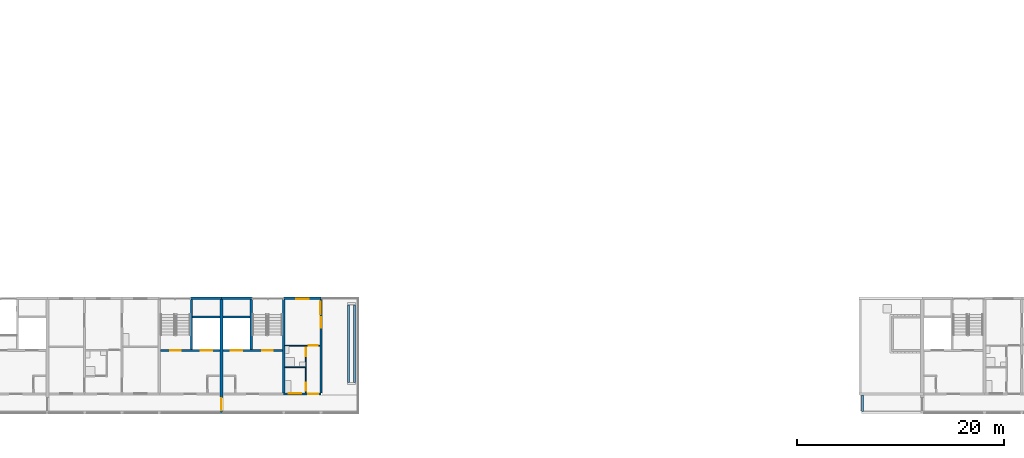
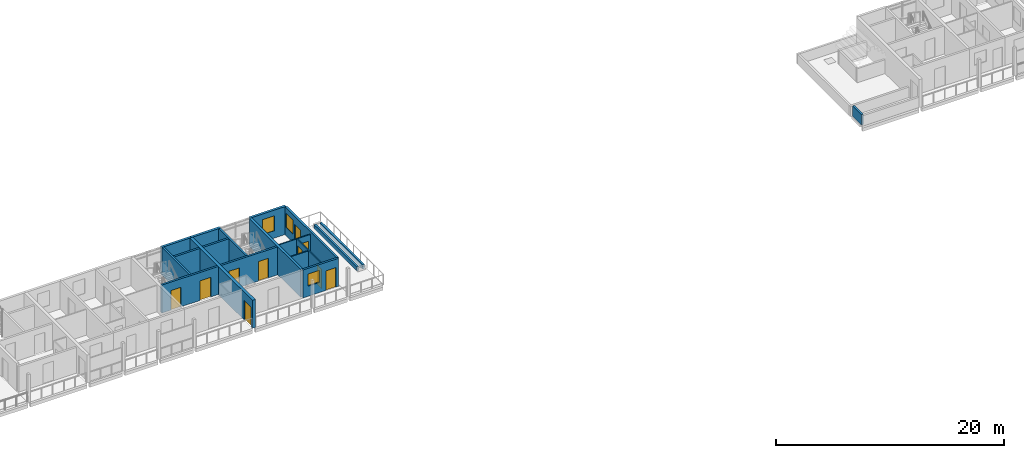
# One storey, part 30 of 55: 19 walls, 10 doors, 3 windows, 13 openings.
"""IFC4 building model written with IfcOpenShell, lengths in metres."""

from ifc_helpers import new_model, si_unit, direction, frame, frame_2d, origin, place, context, subcontext, project, spatial, rectangle, extrude, material, layer, layer_set, type_object, element, fill, save


model = new_model("IFC4")

# Units and contexts
model_context = context("Model", 3, precision=1e-05, world=origin(), true_north=direction((0.0, 1.0)))
body_context = subcontext(model_context, "Body", "Model", "MODEL_VIEW")
ifc_project = project(units=[si_unit("LENGTHUNIT", "METRE"), si_unit("AREAUNIT", "SQUARE_METRE"), si_unit("VOLUMEUNIT", "CUBIC_METRE"), si_unit("PLANEANGLEUNIT", "RADIAN"), si_unit("MASSUNIT", "GRAM", prefix="KILO")], contexts=[model_context])

# Site, building, storey
site_placement = place(None, origin())
site = spatial("IfcSite", under=ifc_project, at=site_placement, CompositionType="ELEMENT")
building_placement = place(site_placement, origin())
building = spatial("IfcBuilding", under=site, at=building_placement, Name="Ridgestep Commons", CompositionType="ELEMENT")
storey_placement = place(building_placement, frame((0.0, 0.0, 36.0)))
storey = spatial("IfcBuildingStorey", under=building, at=storey_placement, Name="L12", CompositionType="ELEMENT", Elevation=36.0)

# Wall
ifc_material_1 = material(Name="Concrete C30/37", Category="concrete")
ifc_layer_1 = layer(ifc_material_1, 0.25)
ifc_layer_set_1 = layer_set([ifc_layer_1], Name="Core cross wall 250")
wall_type_1 = type_object("IfcWallType", Name="Core cross wall 250", PredefinedType="SHEAR", material=ifc_layer_set_1)
wall_1_placement = place(storey_placement, frame((102.0, 13.75, 0.0), z_axis=(0.0, 0.0, 1.0), x_axis=(0.0, 1.0, 0.0)))
element("IfcWall", 1, at=wall_1_placement, inside=storey, type_object=wall_type_1, Name="Cross wall A-12-1020", PredefinedType="SHEAR", context=body_context, shape_type="SweptSolid", body=[
    extrude(rectangle(XDim=9.0, YDim=0.25, at=frame_2d((4.5, 0.0))), origin(), (0.0, 0.0, 1.0), 3.0),
])

# Wall, openings, doors
ifc_material_2 = material(Name="Concrete C30/37", Category="concrete")
ifc_layer_2 = layer(ifc_material_2, 0.199951171875)
ifc_layer_set_2 = layer_set([ifc_layer_2], Name="Core wall 200")
wall_type_2 = type_object("IfcWallType", Name="Core wall 200", PredefinedType="SHEAR", material=ifc_layer_set_2)
wall_2_placement = place(storey_placement, frame((90.125, 17.85009765625, 0.0), z_axis=(0.0, 0.0, 1.0), x_axis=(1.0, 0.0, 0.0)))
wall_2 = element("IfcWall", 2, at=wall_2_placement, inside=storey, type_object=wall_type_2, Name="Core lobby wall A5C L12", PredefinedType="SHEAR", context=body_context, shape_type="SweptSolid", body=[
    extrude(rectangle(XDim=5.72509765625, YDim=0.199951171875, at=frame_2d((2.862548828125, 0.0))), origin(), (0.0, 0.0, 1.0), 3.0),
])
opening_1_placement = place(wall_2_placement, frame((0.949951171875, 0.0, 0.0)))
opening_1 = element("IfcOpeningElement", 3, at=opening_1_placement, cuts=wall_2, Name="Opening A5C/12/2", PredefinedType="OPENING", context=body_context, shape_type="SweptSolid", body=[
    extrude(rectangle(XDim=1.0, YDim=2.10009765625, at=frame_2d((0.5, 1.050048828125))), frame((0.0, 0.10986328125, 0.0), z_axis=(0.0, -1.0, 0.0), x_axis=(1.0, 0.0, 0.0)), (0.0, 0.0, 1.0), 0.219970703125),
])
opening_2_placement = place(wall_2_placement, frame((3.862548828125, 0.0, 0.0)))
opening_2 = element("IfcOpeningElement", 4, at=opening_2_placement, cuts=wall_2, Name="Opening A5C/12/3", PredefinedType="OPENING", context=body_context, shape_type="SweptSolid", body=[
    extrude(rectangle(XDim=1.10009765625, YDim=2.10009765625, at=frame_2d((0.550048828125, 1.050048828125))), frame((0.0, 0.10986328125, 0.0), z_axis=(0.0, -1.0, 0.0), x_axis=(1.0, 0.0, 0.0)), (0.0, 0.0, 1.0), 0.219970703125),
])
ifc_material_3 = material(Name="Stainless steel", Category="steel")
door_type_1 = type_object("IfcDoorType", Name="Lift landing door 1100 x 2100 FD60", OperationType="DOUBLE_DOOR_SLIDING", PredefinedType="DOOR", material=ifc_material_3)
door_1_placement = place(opening_2_placement, origin())
door_1 = element("IfcDoor", 5, at=door_1_placement, inside=storey, type_object=door_type_1, Name="Landing door LD A5C L12", OperationType="DOUBLE_DOOR_SLIDING", OverallHeight=2.10009765625, OverallWidth=1.10009765625, PredefinedType="DOOR", context=body_context, shape_type="SweptSolid", body=[
    extrude(rectangle(XDim=1.10009765625, YDim=2.10009765625, at=frame_2d((0.550048828125, 1.050048828125))), frame((0.0, 0.02490234375, 0.0), z_axis=(0.0, -1.0, 0.0), x_axis=(1.0, 0.0, 0.0)), (0.0, 0.0, 1.0), 0.050048828125),
])
fill(opening_2, door_1)
ifc_material_4 = material(Name="Steel fire door", Category="steel")
door_type_2 = type_object("IfcDoorType", Name="Stair door 1000 x 2100 FD60", OperationType="NOTDEFINED", PredefinedType="DOOR", material=ifc_material_4)
door_2_placement = place(opening_1_placement, origin())
door_2 = element("IfcDoor", 6, at=door_2_placement, inside=storey, type_object=door_type_2, Name="Stair door A5C/12/2", OperationType="SINGLE_SWING_RIGHT", OverallHeight=2.10009765625, OverallWidth=1.0, PredefinedType="DOOR", context=body_context, shape_type="SweptSolid", body=[
    extrude(rectangle(XDim=1.0, YDim=2.10009765625, at=frame_2d((0.5, 1.050048828125))), frame((0.0, 0.02490234375, 0.0), z_axis=(0.0, -1.0, 0.0), x_axis=(1.0, 0.0, 0.0)), (0.0, 0.0, 1.0), 0.050048828125),
])
fill(opening_1, door_2)

# Walls
wall_3_placement = place(storey_placement, frame((93.125, 17.949951171875, 0.0), z_axis=(0.0, 0.0, 1.0), x_axis=(0.0, 1.0, 0.0)))
element("IfcWall", 7, at=wall_3_placement, inside=storey, type_object=wall_type_2, Name="Core stair wall A5C L12", PredefinedType="SHEAR", context=body_context, shape_type="SweptSolid", body=[
    extrude(rectangle(XDim=4.800048828125, YDim=0.199951171875, at=frame_2d((2.39990234375, 0.0))), origin(), (0.0, 0.0, 1.0), 3.0),
])
wall_4_placement = place(storey_placement, frame((93.22509765625, 21.050048828125, 0.0), z_axis=(0.0, 0.0, 1.0), x_axis=(1.0, 0.0, 0.0)))
element("IfcWall", 8, at=wall_4_placement, inside=storey, type_object=wall_type_2, Name="Core duct wall A5C L12", PredefinedType="SHEAR", context=body_context, shape_type="SweptSolid", body=[
    extrude(rectangle(XDim=2.625, YDim=0.199951171875, at=frame_2d((1.3125, 0.0))), origin(), (0.0, 0.0, 1.0), 3.0),
])

# Wall, openings, doors
wall_5_placement = place(storey_placement, frame((96.14990234375, 17.85009765625, 0.0), z_axis=(0.0, 0.0, 1.0), x_axis=(1.0, 0.0, 0.0)))
wall_5 = element("IfcWall", 9, at=wall_5_placement, inside=storey, type_object=wall_type_2, Name="Core lobby wall A6C L12", PredefinedType="SHEAR", context=body_context, shape_type="SweptSolid", body=[
    extrude(rectangle(XDim=5.72509765625, YDim=0.199951171875, at=frame_2d((2.862548828125, 0.0))), origin(), (0.0, 0.0, 1.0), 3.0),
])
opening_3_placement = place(wall_5_placement, frame((3.77490234375, 0.0, 0.0)))
opening_3 = element("IfcOpeningElement", 10, at=opening_3_placement, cuts=wall_5, Name="Opening A6C/12/2", PredefinedType="OPENING", context=body_context, shape_type="SweptSolid", body=[
    extrude(rectangle(XDim=1.0, YDim=2.10009765625, at=frame_2d((0.5, 1.050048828125))), frame((0.0, 0.10986328125, 0.0), z_axis=(0.0, -1.0, 0.0), x_axis=(1.0, 0.0, 0.0)), (0.0, 0.0, 1.0), 0.219970703125),
])
opening_4_placement = place(wall_5_placement, frame((0.762451171875, 0.0, 0.0)))
opening_4 = element("IfcOpeningElement", 11, at=opening_4_placement, cuts=wall_5, Name="Opening A6C/12/3", PredefinedType="OPENING", context=body_context, shape_type="SweptSolid", body=[
    extrude(rectangle(XDim=1.10009765625, YDim=2.10009765625, at=frame_2d((0.550048828125, 1.050048828125))), frame((0.0, 0.10986328125, 0.0), z_axis=(0.0, -1.0, 0.0), x_axis=(1.0, 0.0, 0.0)), (0.0, 0.0, 1.0), 0.219970703125),
])
door_3_placement = place(opening_4_placement, origin())
door_3 = element("IfcDoor", 12, at=door_3_placement, inside=storey, type_object=door_type_1, Name="Landing door LD A6C L12", OperationType="DOUBLE_DOOR_SLIDING", OverallHeight=2.10009765625, OverallWidth=1.10009765625, PredefinedType="DOOR", context=body_context, shape_type="SweptSolid", body=[
    extrude(rectangle(XDim=1.10009765625, YDim=2.10009765625, at=frame_2d((0.550048828125, 1.050048828125))), frame((0.0, 0.02490234375, 0.0), z_axis=(0.0, -1.0, 0.0), x_axis=(1.0, 0.0, 0.0)), (0.0, 0.0, 1.0), 0.050048828125),
])
fill(opening_4, door_3)
door_4_placement = place(opening_3_placement, origin())
door_4 = element("IfcDoor", 13, at=door_4_placement, inside=storey, type_object=door_type_2, Name="Stair door A6C/12/2", OperationType="SINGLE_SWING_RIGHT", OverallHeight=2.10009765625, OverallWidth=1.0, PredefinedType="DOOR", context=body_context, shape_type="SweptSolid", body=[
    extrude(rectangle(XDim=1.0, YDim=2.10009765625, at=frame_2d((0.5, 1.050048828125))), frame((0.0, 0.02490234375, 0.0), z_axis=(0.0, -1.0, 0.0), x_axis=(1.0, 0.0, 0.0)), (0.0, 0.0, 1.0), 0.050048828125),
])
fill(opening_3, door_4)

# Walls
wall_6_placement = place(storey_placement, frame((98.875, 17.949951171875, 0.0), z_axis=(0.0, 0.0, 1.0), x_axis=(0.0, 1.0, 0.0)))
element("IfcWall", 14, at=wall_6_placement, inside=storey, type_object=wall_type_2, Name="Core stair wall A6C L12", PredefinedType="SHEAR", context=body_context, shape_type="SweptSolid", body=[
    extrude(rectangle(XDim=4.800048828125, YDim=0.199951171875, at=frame_2d((2.39990234375, 0.0))), origin(), (0.0, 0.0, 1.0), 3.0),
])
wall_7_placement = place(storey_placement, frame((96.14990234375, 21.050048828125, 0.0), z_axis=(0.0, 0.0, 1.0), x_axis=(1.0, 0.0, 0.0)))
element("IfcWall", 15, at=wall_7_placement, inside=storey, type_object=wall_type_2, Name="Core duct wall A6C L12", PredefinedType="SHEAR", context=body_context, shape_type="SweptSolid", body=[
    extrude(rectangle(XDim=2.625, YDim=0.199951171875, at=frame_2d((1.3125, 0.0))), origin(), (0.0, 0.0, 1.0), 3.0),
])

# Wall, opening, door
ifc_material_5 = material(Name="Precast concrete C40/50", Category="concrete")
ifc_layer_3 = layer(ifc_material_5, 0.300048828125)
ifc_layer_set_3 = layer_set([ifc_layer_3], Name="Division wall 300")
wall_type_3 = type_object("IfcWallType", Name="Division wall 300", PredefinedType="SHEAR", material=ifc_layer_set_3)
wall_8_placement = place(storey_placement, frame((96.0, 11.75, 0.0), z_axis=(0.0, 0.0, 1.0), x_axis=(0.0, 1.0, 0.0)))
wall_8 = element("IfcWall", 16, at=wall_8_placement, inside=storey, type_object=wall_type_3, Name="Cross wall A-12-0960", PredefinedType="SHEAR", context=body_context, shape_type="SweptSolid", body=[
    extrude(rectangle(XDim=11.0, YDim=0.300048828125, at=frame_2d((5.5, 0.0))), origin(), (0.0, 0.0, 1.0), 3.0),
])
opening_5_placement = place(wall_8_placement, frame((0.300048828125, 0.0, 0.0)))
opening_5 = element("IfcOpeningElement", 17, at=opening_5_placement, cuts=wall_8, Name="Opening A/12/G0960", PredefinedType="OPENING", context=body_context, shape_type="SweptSolid", body=[
    extrude(rectangle(XDim=1.199951171875, YDim=2.10009765625, at=frame_2d((0.60009765625, 1.050048828125))), frame((0.0, 0.159912109375, 0.0), z_axis=(0.0, -1.0, 0.0), x_axis=(1.0, 0.0, 0.0)), (0.0, 0.0, 1.0), 0.320068359375),
])
ifc_material_6 = material(Name="Steel fire door", Category="steel")
door_type_3 = type_object("IfcDoorType", Name="Division fire door 1200 x 2100 EI 240", OperationType="DOUBLE_DOOR_SINGLE_SWING", PredefinedType="DOOR", material=ifc_material_6)
door_5_placement = place(opening_5_placement, origin())
door_5 = element("IfcDoor", 18, at=door_5_placement, inside=storey, type_object=door_type_3, Name="Division fire door A/12/G0960", OperationType="DOUBLE_DOOR_SINGLE_SWING", OverallHeight=2.10009765625, OverallWidth=1.199951171875, PredefinedType="DOOR", context=body_context, shape_type="SweptSolid", body=[
    extrude(rectangle(XDim=1.199951171875, YDim=2.10009765625, at=frame_2d((0.60009765625, 1.050048828125))), frame((0.0, 0.02490234375, 0.0), z_axis=(0.0, -1.0, 0.0), x_axis=(1.0, 0.0, 0.0)), (0.0, 0.0, 1.0), 0.050048828125),
])
fill(opening_5, door_5)

# Wall, openings, window, door
ifc_material_7 = material(Name="Precast concrete C40/50", Category="concrete")
ifc_layer_4 = layer(ifc_material_7, 0.199951171875)
ifc_layer_set_4 = layer_set([ifc_layer_4], Name="Exposed cross wall 200")
wall_type_4 = type_object("IfcWallType", Name="Exposed cross wall 200", PredefinedType="SHEAR", material=ifc_layer_set_4)
wall_9_placement = place(storey_placement, frame((105.60009765625, 13.75, 0.0), z_axis=(0.0, 0.0, 1.0), x_axis=(0.0, 1.0, 0.0)))
wall_9 = element("IfcWall", 19, at=wall_9_placement, inside=storey, type_object=wall_type_4, Name="Cross wall A-12-1056", PredefinedType="SHEAR", context=body_context, shape_type="SweptSolid", body=[
    extrude(rectangle(XDim=9.0, YDim=0.199951171875, at=frame_2d((4.5, 0.0))), origin(), (0.0, 0.0, 1.0), 3.0),
])
opening_6_placement = place(wall_9_placement, frame((7.6025390625, 0.0, 0.89990234375)))
opening_6 = element("IfcOpeningElement", 20, at=opening_6_placement, cuts=wall_9, Name="Opening W10", PredefinedType="OPENING", context=body_context, shape_type="SweptSolid", body=[
    extrude(rectangle(XDim=1.199951171875, YDim=1.5, at=frame_2d((0.60009765625, 0.75))), frame((0.0, 0.10986328125, 0.0), z_axis=(0.0, -1.0, 0.0), x_axis=(1.0, 0.0, 0.0)), (0.0, 0.0, 1.0), 0.219970703125),
])
opening_7_placement = place(wall_9_placement, frame((6.304931640625, 0.0, 0.0)))
opening_7 = element("IfcOpeningElement", 21, at=opening_7_placement, cuts=wall_9, Name="Opening A6-12a/5", PredefinedType="OPENING", context=body_context, shape_type="SweptSolid", body=[
    extrude(rectangle(XDim=1.0, YDim=2.10009765625, at=frame_2d((0.5, 1.050048828125))), frame((0.0, 0.10986328125, 0.0), z_axis=(0.0, -1.0, 0.0), x_axis=(1.0, 0.0, 0.0)), (0.0, 0.0, 1.0), 0.219970703125),
])
ifc_material_8 = material(Name="Aluminium 6063-T6 and glass", Category="aluminium")
window_type_1 = type_object("IfcWindowType", Name="Flat window 1200 x 1500", PartitioningType="SINGLE_PANEL", PredefinedType="WINDOW", material=ifc_material_8)
window_1_placement = place(opening_6_placement, origin())
window_1 = element("IfcWindow", 22, at=window_1_placement, inside=storey, type_object=window_type_1, Name="Window A6-12a 3", OverallHeight=1.5, OverallWidth=1.199951171875, PartitioningType="SINGLE_PANEL", PredefinedType="WINDOW", context=body_context, shape_type="SweptSolid", body=[
    extrude(rectangle(XDim=1.199951171875, YDim=1.5, at=frame_2d((0.60009765625, 0.75))), frame((0.0, 0.06005859375, 0.0), z_axis=(0.0, -1.0, 0.0), x_axis=(1.0, 0.0, 0.0)), (0.0, 0.0, 1.0), 0.06005859375),
])
fill(opening_6, window_1)
ifc_material_9 = material(Name="Aluminium and glass", Category="aluminium")
door_type_4 = type_object("IfcDoorType", Name="Terrace door 1000 x 2100", OperationType="NOTDEFINED", PredefinedType="DOOR", material=ifc_material_9)
door_6_placement = place(opening_7_placement, origin())
door_6 = element("IfcDoor", 23, at=door_6_placement, inside=storey, type_object=door_type_4, Name="Terrace door A6-12a/5", OperationType="SINGLE_SWING_LEFT", OverallHeight=2.10009765625, OverallWidth=1.0, PredefinedType="DOOR", context=body_context, shape_type="SweptSolid", body=[
    extrude(rectangle(XDim=1.0, YDim=2.10009765625, at=frame_2d((0.5, 1.050048828125))), frame((0.0, 0.02490234375, 0.0), z_axis=(0.0, -1.0, 0.0), x_axis=(1.0, 0.0, 0.0)), (0.0, 0.0, 1.0), 0.050048828125),
])
fill(opening_7, door_6)

# Walls
ifc_material_10 = material(Name="Precast concrete C40/50", Category="concrete")
ifc_layer_5 = layer(ifc_material_10, 0.25)
ifc_layer_set_5 = layer_set([ifc_layer_5], Name="North facade panel 250")
wall_type_5 = type_object("IfcWallType", Name="North facade panel 250", PredefinedType="SOLIDWALL", material=ifc_layer_set_5)
for number, where, z_axis, x_axis, name in (
    (24, (93.02490234375, 22.875, 0.0), (0.0, 0.0, 1.0), (1.0, 0.0, 0.0), "North panel A5C L12"),
    (25, (96.0, 22.875, 0.0), (0.0, 0.0, 1.0), (1.0, 0.0, 0.0), "North panel A6C L12"),
):
    element("IfcWall", number, at=place(storey_placement, frame(where, z_axis=z_axis, x_axis=x_axis)), inside=storey, type_object=wall_type_5, Name=name, PredefinedType="SOLIDWALL", context=body_context, shape_type="SweptSolid", body=[
        extrude(rectangle(XDim=2.97509765625, YDim=0.25, at=frame_2d((1.487548828125, 0.0))), origin(), (0.0, 0.0, 1.0), 3.0),
    ])

# Wall, opening, window
wall_10_placement = place(storey_placement, frame((102.0, 22.875, 0.0), z_axis=(0.0, 0.0, 1.0), x_axis=(1.0, 0.0, 0.0)))
wall_10 = element("IfcWall", 26, at=wall_10_placement, inside=storey, type_object=wall_type_5, Name="North panel A6T3 L12", PredefinedType="SOLIDWALL", context=body_context, shape_type="SweptSolid", body=[
    extrude(rectangle(XDim=3.60009765625, YDim=0.25, at=frame_2d((1.800048828125, 0.0))), origin(), (0.0, 0.0, 1.0), 3.0),
])
opening_8_placement = place(wall_10_placement, frame((1.21240234375, 0.0, 0.800048828125)))
opening_8 = element("IfcOpeningElement", 27, at=opening_8_placement, cuts=wall_10, Name="Opening W11", PredefinedType="OPENING", context=body_context, shape_type="SweptSolid", body=[
    extrude(rectangle(XDim=1.199951171875, YDim=1.60009765625, at=frame_2d((0.60009765625, 0.800048828125))), frame((0.0, 0.135009765625, 0.0), z_axis=(0.0, -1.0, 0.0), x_axis=(1.0, 0.0, 0.0)), (0.0, 0.0, 1.0), 0.27001953125),
])
ifc_material_11 = material(Name="Aluminium 6063-T6 and glass", Category="aluminium")
window_type_2 = type_object("IfcWindowType", Name="Flat window 1200 x 1600", PartitioningType="SINGLE_PANEL", PredefinedType="WINDOW", material=ifc_material_11)
window_2_placement = place(opening_8_placement, origin())
window_2 = element("IfcWindow", 28, at=window_2_placement, inside=storey, type_object=window_type_2, Name="Window A6-12a 2", OverallHeight=1.60009765625, OverallWidth=1.199951171875, PartitioningType="SINGLE_PANEL", PredefinedType="WINDOW", context=body_context, shape_type="SweptSolid", body=[
    extrude(rectangle(XDim=1.199951171875, YDim=1.60009765625, at=frame_2d((0.60009765625, 0.800048828125))), frame((0.0, -0.02490234375, 0.0), z_axis=(0.0, -1.0, 0.0), x_axis=(1.0, 0.0, 0.0)), (0.0, 0.0, 1.0), 0.06005859375),
])
fill(opening_8, window_2)

# Walls
ifc_material_12 = material(Name="Precast concrete C40/50", Category="concrete")
ifc_layer_6 = layer(ifc_material_12, 0.199951171875)
ifc_layer_set_6 = layer_set([ifc_layer_6], Name="Parapet wall 200")
wall_type_6 = type_object("IfcWallType", Name="Parapet wall 200", PredefinedType="PARAPET", material=ifc_layer_set_6)
wall_11_placement = place(storey_placement, frame((157.824951171875, 11.97509765625, 0.0), z_axis=(0.0, 0.0, 1.0), x_axis=(0.0, 1.0, 0.0)))
element("IfcWall", 29, at=wall_11_placement, inside=storey, type_object=wall_type_6, Name="Parapet D1C gallery west", PredefinedType="PARAPET", context=body_context, shape_type="SweptSolid", body=[
    extrude(rectangle(XDim=1.574951171875, YDim=0.199951171875, at=frame_2d((0.78759765625, 0.0))), origin(), (0.0, 0.0, 1.0), 1.10009765625),
])
ifc_material_13 = material(Name="Common brick 110 mm", Category="masonry")
ifc_layer_7 = layer(ifc_material_13, 0.110107421875)
ifc_layer_set_7 = layer_set([ifc_layer_7], Name="Partition 110")
wall_type_7 = type_object("IfcWallType", Name="Partition 110", PredefinedType="PARTITIONING", material=ifc_layer_set_7)
wall_12_placement = place(storey_placement, frame((102.125, 16.205078125, 0.0), z_axis=(0.0, 0.0, 1.0), x_axis=(1.0, 0.0, 0.0)))
element("IfcWall", 30, at=wall_12_placement, inside=storey, type_object=wall_type_7, Name="Partition A6-12a", PredefinedType="PARTITIONING", context=body_context, shape_type="SweptSolid", body=[
    extrude(rectangle(XDim=1.965087890625, YDim=0.110107421875, at=frame_2d((0.982421875, 0.0))), origin(), (0.0, 0.0, 1.0), 2.75),
])

# Wall, openings, doors
wall_13_placement = place(storey_placement, frame((104.14501953125, 13.75, 0.0), z_axis=(0.0, 0.0, 1.0), x_axis=(0.0, 1.0, 0.0)))
wall_13 = element("IfcWall", 31, at=wall_13_placement, inside=storey, type_object=wall_type_7, Name="Partition A6-12a", PredefinedType="PARTITIONING", context=body_context, shape_type="SweptSolid", body=[
    extrude(rectangle(XDim=4.5, YDim=0.110107421875, at=frame_2d((2.25, 0.0))), origin(), (0.0, 0.0, 1.0), 2.75),
])
opening_9_placement = place(wall_13_placement, frame((0.199951171875, 0.0, 0.0)))
opening_9 = element("IfcOpeningElement", 32, at=opening_9_placement, cuts=wall_13, Name="Opening A6-12a/2", PredefinedType="OPENING", context=body_context, shape_type="SweptSolid", body=[
    extrude(rectangle(XDim=0.800048828125, YDim=2.10009765625, at=frame_2d((0.39990234375, 1.050048828125))), frame((0.0, 0.06494140625, 0.0), z_axis=(0.0, -1.0, 0.0), x_axis=(1.0, 0.0, 0.0)), (0.0, 0.0, 1.0), 0.130126953125),
])
opening_10_placement = place(wall_13_placement, frame((3.550048828125, 0.0, 0.0)))
opening_10 = element("IfcOpeningElement", 33, at=opening_10_placement, cuts=wall_13, Name="Opening A6-12a/3", PredefinedType="OPENING", context=body_context, shape_type="SweptSolid", body=[
    extrude(rectangle(XDim=0.800048828125, YDim=2.10009765625, at=frame_2d((0.39990234375, 1.050048828125))), frame((0.0, 0.06494140625, 0.0), z_axis=(0.0, -1.0, 0.0), x_axis=(1.0, 0.0, 0.0)), (0.0, 0.0, 1.0), 0.130126953125),
])
ifc_material_14 = material(Name="Timber door leaf", Category="wood")
door_type_5 = type_object("IfcDoorType", Name="Internal door 800 x 2100", OperationType="NOTDEFINED", PredefinedType="DOOR", material=ifc_material_14)
door_7_placement = place(opening_9_placement, origin())
door_7 = element("IfcDoor", 34, at=door_7_placement, inside=storey, type_object=door_type_5, Name="Internal door A6-12a/2", OperationType="SINGLE_SWING_LEFT", OverallHeight=2.10009765625, OverallWidth=0.800048828125, PredefinedType="DOOR", context=body_context, shape_type="SweptSolid", body=[
    extrude(rectangle(XDim=0.800048828125, YDim=2.10009765625, at=frame_2d((0.39990234375, 1.050048828125))), frame((0.0, 0.02490234375, 0.0), z_axis=(0.0, -1.0, 0.0), x_axis=(1.0, 0.0, 0.0)), (0.0, 0.0, 1.0), 0.050048828125),
])
fill(opening_9, door_7)
door_8_placement = place(opening_10_placement, origin())
door_8 = element("IfcDoor", 35, at=door_8_placement, inside=storey, type_object=door_type_5, Name="Internal door A6-12a/3", OperationType="SINGLE_SWING_RIGHT", OverallHeight=2.10009765625, OverallWidth=0.800048828125, PredefinedType="DOOR", context=body_context, shape_type="SweptSolid", body=[
    extrude(rectangle(XDim=0.800048828125, YDim=2.10009765625, at=frame_2d((0.39990234375, 1.050048828125))), frame((0.0, 0.02490234375, 0.0), z_axis=(0.0, -1.0, 0.0), x_axis=(1.0, 0.0, 0.0)), (0.0, 0.0, 1.0), 0.050048828125),
])
fill(opening_10, door_8)

# Wall, opening, door
wall_14_placement = place(storey_placement, frame((102.125, 18.304931640625, 0.0), z_axis=(0.0, 0.0, 1.0), x_axis=(1.0, 0.0, 0.0)))
wall_14 = element("IfcWall", 36, at=wall_14_placement, inside=storey, type_object=wall_type_7, Name="Partition A6-12a", PredefinedType="PARTITIONING", context=body_context, shape_type="SweptSolid", body=[
    extrude(rectangle(XDim=3.375, YDim=0.110107421875, at=frame_2d((1.6875, 0.0))), origin(), (0.0, 0.0, 1.0), 2.75),
])
opening_11_placement = place(wall_14_placement, frame((2.27490234375, 0.0, 0.0)))
opening_11 = element("IfcOpeningElement", 37, at=opening_11_placement, cuts=wall_14, Name="Opening A6-12a/4", PredefinedType="OPENING", context=body_context, shape_type="SweptSolid", body=[
    extrude(rectangle(XDim=0.89990234375, YDim=2.10009765625, at=frame_2d((0.449951171875, 1.050048828125))), frame((0.0, 0.06494140625, 0.0), z_axis=(0.0, -1.0, 0.0), x_axis=(1.0, 0.0, 0.0)), (0.0, 0.0, 1.0), 0.130126953125),
])
ifc_material_15 = material(Name="Timber door leaf", Category="wood")
door_type_6 = type_object("IfcDoorType", Name="Internal door 900 x 2100", OperationType="NOTDEFINED", PredefinedType="DOOR", material=ifc_material_15)
door_9_placement = place(opening_11_placement, origin())
door_9 = element("IfcDoor", 38, at=door_9_placement, inside=storey, type_object=door_type_6, Name="Internal door A6-12a/4", OperationType="SINGLE_SWING_LEFT", OverallHeight=2.10009765625, OverallWidth=0.89990234375, PredefinedType="DOOR", context=body_context, shape_type="SweptSolid", body=[
    extrude(rectangle(XDim=0.89990234375, YDim=2.10009765625, at=frame_2d((0.449951171875, 1.050048828125))), frame((0.0, 0.02490234375, 0.0), z_axis=(0.0, -1.0, 0.0), x_axis=(1.0, 0.0, 0.0)), (0.0, 0.0, 1.0), 0.050048828125),
])
fill(opening_11, door_9)

# Walls
ifc_material_16 = material(Name="Facing brick", Category="masonry")
ifc_layer_8 = layer(ifc_material_16, 0.199951171875)
ifc_layer_set_8 = layer_set([ifc_layer_8], Name="Planter wall 200")
wall_type_8 = type_object("IfcWallType", Name="Planter wall 200", PredefinedType="SOLIDWALL", material=ifc_layer_set_8)
for number, where, z_axis, x_axis, name in (
    (39, (108.25, 14.75, 0.010009765625), (0.0, 0.0, 1.0), (0.0, 1.0, 0.0), "Planter wall A6R2W"),
    (40, (108.85009765625, 14.75, 0.010009765625), (0.0, 0.0, 1.0), (0.0, 1.0, 0.0), "Planter wall A6R2E"),
):
    element("IfcWall", number, at=place(storey_placement, frame(where, z_axis=z_axis, x_axis=x_axis)), inside=storey, type_object=wall_type_8, Name=name, PredefinedType="SOLIDWALL", context=body_context, shape_type="SweptSolid", body=[
        extrude(rectangle(XDim=7.5, YDim=0.199951171875, at=frame_2d((3.75, 0.0))), origin(), (0.0, 0.0, 1.0), 0.449951171875),
    ])

# Wall, openings, door, window
ifc_material_17 = material(Name="Precast concrete C40/50", Category="concrete")
ifc_layer_9 = layer(ifc_material_17, 0.199951171875)
ifc_layer_set_9 = layer_set([ifc_layer_9], Name="South facade panel 200")
wall_type_9 = type_object("IfcWallType", Name="South facade panel 200", PredefinedType="SOLIDWALL", material=ifc_layer_set_9)
wall_15_placement = place(storey_placement, frame((102.0, 13.64990234375, 0.0), z_axis=(0.0, 0.0, 1.0), x_axis=(1.0, 0.0, 0.0)))
wall_15 = element("IfcWall", 41, at=wall_15_placement, inside=storey, type_object=wall_type_9, Name="South panel A6T3 L12", PredefinedType="SOLIDWALL", context=body_context, shape_type="SweptSolid", body=[
    extrude(rectangle(XDim=3.60009765625, YDim=0.199951171875, at=frame_2d((1.800048828125, 0.0))), origin(), (0.0, 0.0, 1.0), 3.0),
])
opening_12_placement = place(wall_15_placement, frame((0.507568359375, 0.0, 1.10009765625)))
opening_12 = element("IfcOpeningElement", 42, at=opening_12_placement, cuts=wall_15, Name="Opening W08", PredefinedType="OPENING", context=body_context, shape_type="SweptSolid", body=[
    extrude(rectangle(XDim=1.199951171875, YDim=1.300048828125, at=frame_2d((0.60009765625, 0.64990234375))), frame((0.0, 0.10986328125, 0.0), z_axis=(0.0, -1.0, 0.0), x_axis=(1.0, 0.0, 0.0)), (0.0, 0.0, 1.0), 0.219970703125),
])
opening_13_placement = place(wall_15_placement, frame((2.35009765625, 0.0, 0.0)))
opening_13 = element("IfcOpeningElement", 43, at=opening_13_placement, cuts=wall_15, Name="Opening A6-12a/1", PredefinedType="OPENING", context=body_context, shape_type="SweptSolid", body=[
    extrude(rectangle(XDim=1.0, YDim=2.10009765625, at=frame_2d((0.5, 1.050048828125))), frame((0.0, 0.10986328125, 0.0), z_axis=(0.0, -1.0, 0.0), x_axis=(1.0, 0.0, 0.0)), (0.0, 0.0, 1.0), 0.219970703125),
])
ifc_material_18 = material(Name="Timber door leaf", Category="wood")
door_type_7 = type_object("IfcDoorType", Name="Flat entrance door 1000 x 2100 FD30S", OperationType="NOTDEFINED", PredefinedType="DOOR", material=ifc_material_18)
door_10_placement = place(opening_13_placement, origin())
door_10 = element("IfcDoor", 44, at=door_10_placement, inside=storey, type_object=door_type_7, Name="Flat entrance door A6-12a/1", OperationType="SINGLE_SWING_RIGHT", OverallHeight=2.10009765625, OverallWidth=1.0, PredefinedType="DOOR", context=body_context, shape_type="SweptSolid", body=[
    extrude(rectangle(XDim=1.0, YDim=2.10009765625, at=frame_2d((0.5, 1.050048828125))), frame((0.0, 0.02490234375, 0.0), z_axis=(0.0, -1.0, 0.0), x_axis=(1.0, 0.0, 0.0)), (0.0, 0.0, 1.0), 0.050048828125),
])
fill(opening_13, door_10)
ifc_material_19 = material(Name="Aluminium 6063-T6 and glass", Category="aluminium")
window_type_3 = type_object("IfcWindowType", Name="Flat window 1200 x 1300", PartitioningType="SINGLE_PANEL", PredefinedType="WINDOW", material=ifc_material_19)
window_3_placement = place(opening_12_placement, origin())
window_3 = element("IfcWindow", 45, at=window_3_placement, inside=storey, type_object=window_type_3, Name="Window A6-12a 1", OverallHeight=1.300048828125, OverallWidth=1.199951171875, PartitioningType="SINGLE_PANEL", PredefinedType="WINDOW", context=body_context, shape_type="SweptSolid", body=[
    extrude(rectangle(XDim=1.199951171875, YDim=1.300048828125, at=frame_2d((0.60009765625, 0.64990234375))), frame((0.0, 0.06005859375, 0.0), z_axis=(0.0, -1.0, 0.0), x_axis=(1.0, 0.0, 0.0)), (0.0, 0.0, 1.0), 0.06005859375),
])
fill(opening_12, window_3)

save(model, "model.ifc")
